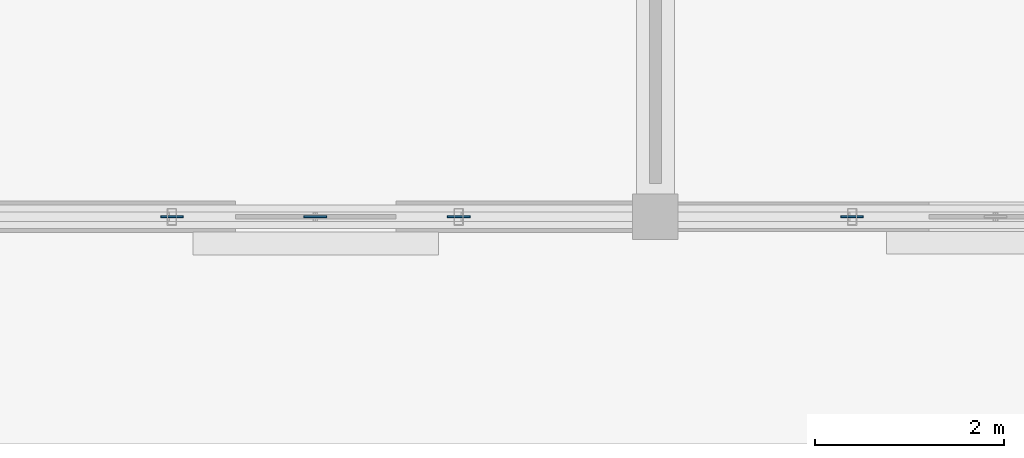
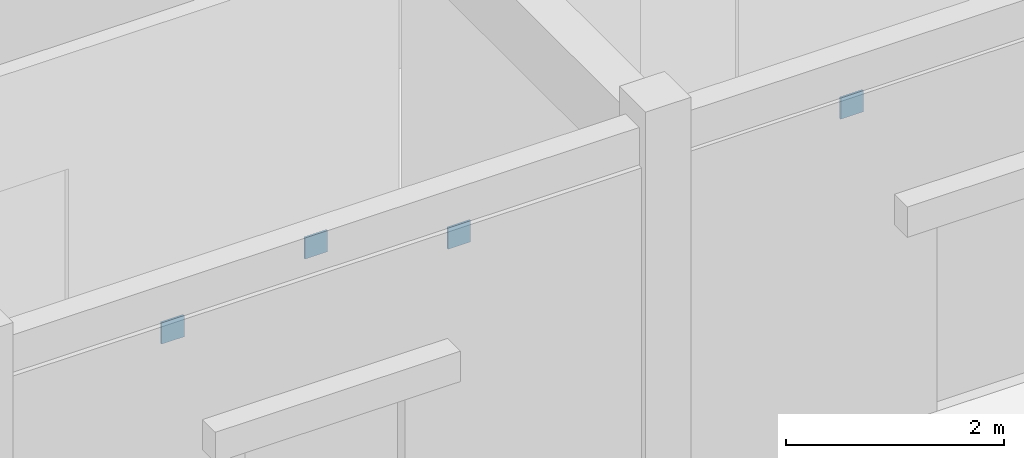
# One storey, part 73 of 138: 4 plates.
"""IFC4 building model written with IfcOpenShell, lengths in metres."""

from ifc_helpers import new_model, si_unit, direction, frame, origin, origin_2d, place, context, subcontext, project, spatial, rectangle, extrude, material, layer, layer_set, type_object, element, save


model = new_model("IFC4")

# Units and contexts
model_context = context("Model", 3, precision=1e-05, world=origin(), true_north=direction((0.0, 1.0)))
body_context = subcontext(model_context, "Body", "Model", "MODEL_VIEW")
ifc_project = project(units=[si_unit("LENGTHUNIT", "METRE"), si_unit("AREAUNIT", "SQUARE_METRE"), si_unit("VOLUMEUNIT", "CUBIC_METRE"), si_unit("PLANEANGLEUNIT", "RADIAN"), si_unit("MASSUNIT", "GRAM", prefix="KILO"), si_unit("THERMODYNAMICTEMPERATUREUNIT", "KELVIN"), si_unit("POWERUNIT", "WATT")], contexts=[model_context])

# Site, building, storey
site_placement = place(None, origin())
site = spatial("IfcSite", under=ifc_project, at=site_placement, CompositionType="ELEMENT")
building_placement = place(site_placement, origin())
building = spatial("IfcBuilding", under=site, at=building_placement, Name="Tavuni Mirador Residences", CompositionType="ELEMENT")
storey_placement = place(building_placement, origin())
storey = spatial("IfcBuildingStorey", under=building, at=storey_placement, Name="L00", CompositionType="ELEMENT", Elevation=0.0)

# Plates
ifc_material = material(Name="Structural steel S355", Category="steel")
ifc_layer = layer(ifc_material, 0.01806640625, Name="Structural steel S355", Category="steel")
ifc_layer_set = layer_set([ifc_layer], Name="Structural steel S355")
plate_type = type_object("IfcPlateType", Name="PLT-GP05", PredefinedType="USERDEFINED", material=ifc_layer_set)
for number, where, z_axis, x_axis, name in (
    (1, (92.08203125, 43.199951171875, 3.509765625), (0.0, 0.0, 1.0), (1.0, 0.0, 0.0), "ARCH-NURS-S-00-GQ1"),
    (2, (93.60009765625, 43.199951171875, 3.93017578125), (0.0, 0.0, 1.0), (1.0, 0.0, 0.0), "ARCH-NURS-S-00-GCR"),
    (3, (95.117919921875, 43.199951171875, 3.509765625), (0.0, 0.0, 1.0), (1.0, 0.0, 0.0), "ARCH-NURS-S-00-GQ2"),
    (4, (99.281982421875, 43.199951171875, 3.509765625), (0.0, 0.0, 1.0), (1.0, 0.0, 0.0), "ARCH-NURS-S-01-GQ1"),
):
    element("IfcPlate", number, at=place(storey_placement, frame(where, z_axis=z_axis, x_axis=x_axis)), inside=storey, type_object=plate_type, Name=name, ObjectType="GUSSET PLATE", PredefinedType="USERDEFINED", context=body_context, shape_type="SweptSolid", body=[
        extrude(rectangle(XDim=0.239990234375, YDim=0.02001953125, at=origin_2d()), origin(), (0.0, 0.0, 1.0), 0.239990234375),
    ])

save(model, "model.ifc")
